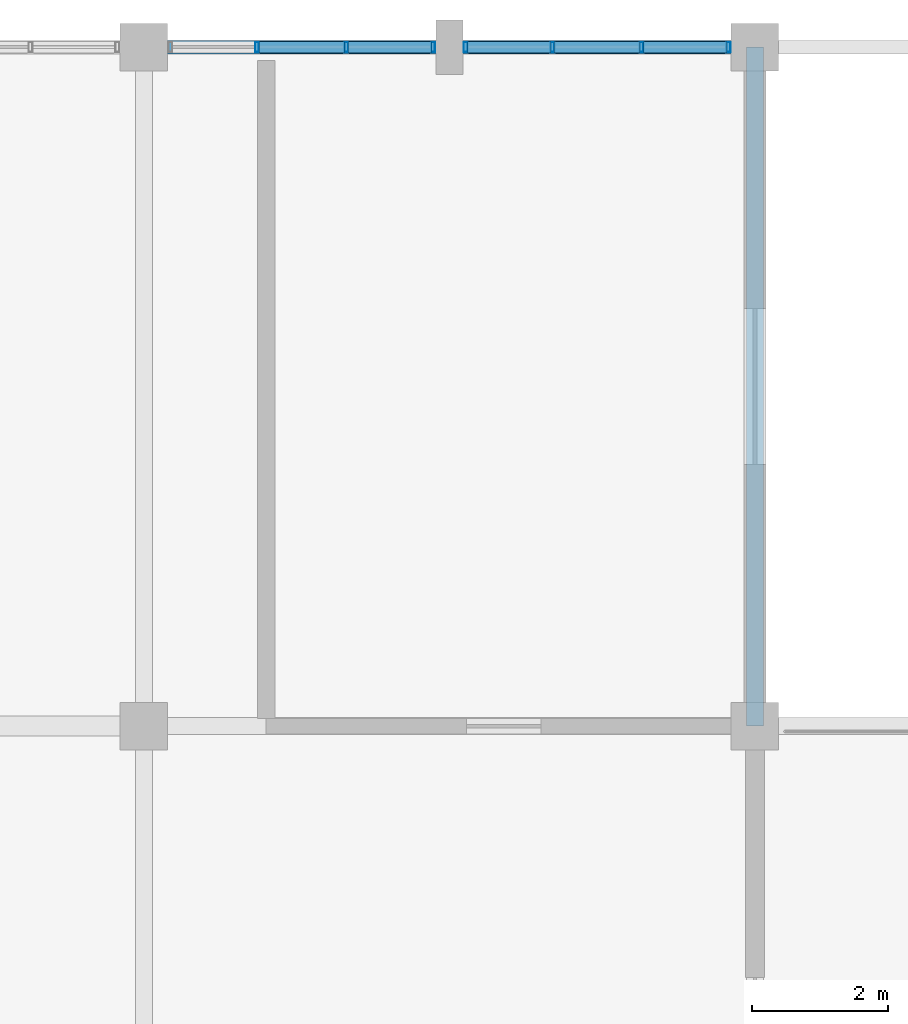
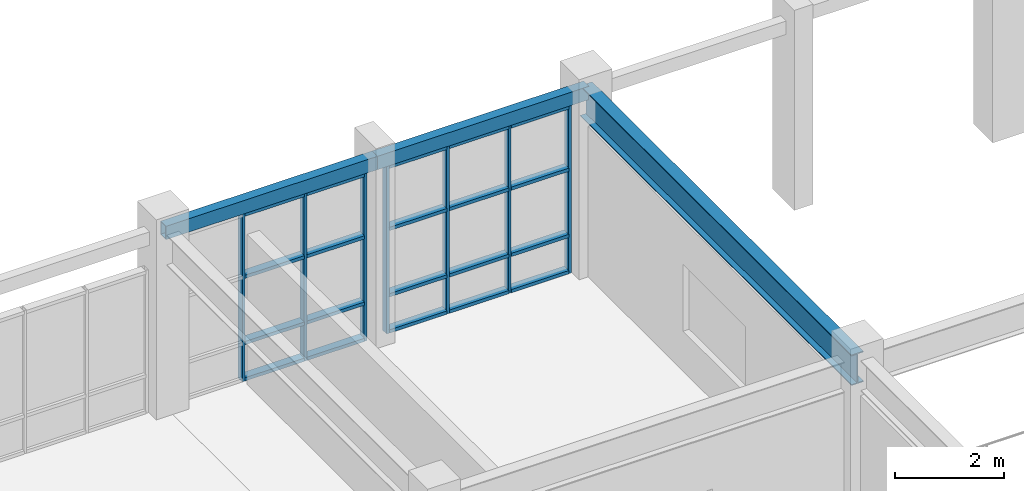
# One storey, part 31 of 55: 27 members, 3 beams, 2 elements without a shape of their own.
"""IFC4 building model written with IfcOpenShell, lengths in metres."""

from ifc_helpers import new_model, si_unit, direction, frame, origin, origin_2d, place, context, subcontext, project, spatial, hollow_rectangle, i_section, extrude, material, layer, layer_set, material_profile, profile_set, type_object, element, aggregate, save


model = new_model("IFC4")

# Units and contexts
model_context = context("Model", 3, precision=1e-05, world=origin(), true_north=direction((0.0, 1.0)))
body_context = subcontext(model_context, "Body", "Model", "MODEL_VIEW")
ifc_project = project(units=[si_unit("LENGTHUNIT", "METRE"), si_unit("AREAUNIT", "SQUARE_METRE"), si_unit("VOLUMEUNIT", "CUBIC_METRE"), si_unit("PLANEANGLEUNIT", "RADIAN"), si_unit("MASSUNIT", "GRAM", prefix="KILO")], contexts=[model_context])

# Site, building, storey
site_placement = place(None, origin())
site = spatial("IfcSite", under=ifc_project, at=site_placement, CompositionType="ELEMENT")
building_placement = place(site_placement, origin())
building = spatial("IfcBuilding", under=site, at=building_placement, Name="Ventoquebrada Cableway Terminal", CompositionType="ELEMENT")
storey_placement = place(building_placement, frame((0.0, 0.0, 14.39990234375)))
storey = spatial("IfcBuildingStorey", under=building, at=storey_placement, Name="L03", CompositionType="ELEMENT", Elevation=14.39990234375)

# Beam
ifc_material_1 = material(Name="Steel ASTM A992 Grade 50", Category="steel")
ifc_material_profile_1 = material_profile(ifc_material_1, i_section(OverallWidth=0.25390625, OverallDepth=0.68798828125, WebThickness=0.01318359375, FlangeThickness=0.02099609375, at=origin_2d()), Name="W27X102")
ifc_profile_set_1 = profile_set([ifc_material_profile_1], Name="Steel ASTM A992 Grade 50")
beam_type_1 = type_object("IfcBeamType", Name="BM-ST04", PredefinedType="BEAM", material=ifc_profile_set_1)
beam_placement = place(storey_placement, frame((26.199951171875, 104.0, 3.736083984375), z_axis=(0.0, 1.0, 0.0), x_axis=(-1.0, 0.0, 0.0)))
element("IfcBeam", 1, at=beam_placement, inside=storey, type_object=beam_type_1, Name="Primary frame girder FBM-0522", PredefinedType="BEAM", context=body_context, shape_type="SweptSolid", body=[
    extrude(i_section(OverallWidth=0.25390625, OverallDepth=0.68798828125, WebThickness=0.01318359375, FlangeThickness=0.02099609375, at=origin_2d()), origin(), (0.0, 0.0, 1.0), 10.0),
])

# Curtain wall, members
ifc_material_2 = material(Name="Anodized thermally-broken aluminium", Category="aluminium")
ifc_layer = layer(ifc_material_2, 0.159912109375)
ifc_layer_set = layer_set([ifc_layer], Name="Anodized thermally-broken aluminium")
curtain_wall_type = type_object("IfcCurtainWallType", Name="CW-T06", PredefinedType="USERDEFINED", material=ifc_layer_set)
curtain_wall_1_placement = place(storey_placement, origin())
curtain_wall_1 = element("IfcCurtainWall", 2, at=curtain_wall_1_placement, inside=storey, type_object=curtain_wall_type, Name="Unitised glazed curtain wall CW-054", ObjectType="UNITISED CURTAIN WALL", PredefinedType="USERDEFINED")
ifc_material_profile_2 = material_profile(ifc_material_2, hollow_rectangle(XDim=0.06005859375, YDim=0.14990234375, WallThickness=0.00390625, at=origin_2d()), Name="CW-MUL-60X150")
ifc_profile_set_2 = profile_set([ifc_material_profile_2], Name="Anodized thermally-broken aluminium")
member_type_1 = type_object("IfcMemberType", Name="CWM-03", PredefinedType="MULLION", material=ifc_profile_set_2)
member_1_placement = place(storey_placement, frame((25.81005859375, 114.0, -0.0078125), z_axis=(0.0, 0.0, 1.0), x_axis=(-1.0, 0.0, 0.0)))
member_1 = element("IfcMember", 3, at=member_1_placement, type_object=member_type_1, Name="Curtain wall mullion FML-0240", PredefinedType="MULLION", context=body_context, shape_type="SweptSolid", body=[
    extrude(hollow_rectangle(XDim=0.06005859375, YDim=0.14990234375, WallThickness=0.00390625, at=origin_2d()), origin(), (0.0, 0.0, 1.0), 3.787841796875),
])
member_2_placement = place(storey_placement, frame((24.531982421875, 114.0, -0.0078125), z_axis=(0.0, 0.0, 1.0), x_axis=(-1.0, 0.0, 0.0)))
member_2 = element("IfcMember", 4, at=member_2_placement, type_object=member_type_1, Name="Curtain wall mullion FML-0241", PredefinedType="MULLION", context=body_context, shape_type="SweptSolid", body=[
    extrude(hollow_rectangle(XDim=0.06005859375, YDim=0.14990234375, WallThickness=0.00390625, at=origin_2d()), origin(), (0.0, 0.0, 1.0), 3.787841796875),
])
member_3_placement = place(storey_placement, frame((23.218017578125, 114.0, -0.0078125), z_axis=(0.0, 0.0, 1.0), x_axis=(-1.0, 0.0, 0.0)))
member_3 = element("IfcMember", 5, at=member_3_placement, type_object=member_type_1, Name="Curtain wall mullion FML-0242", PredefinedType="MULLION", context=body_context, shape_type="SweptSolid", body=[
    extrude(hollow_rectangle(XDim=0.06005859375, YDim=0.14990234375, WallThickness=0.00390625, at=origin_2d()), origin(), (0.0, 0.0, 1.0), 3.787841796875),
])
member_4_placement = place(storey_placement, frame((21.93994140625, 114.0, -0.0078125), z_axis=(0.0, 0.0, 1.0), x_axis=(-1.0, 0.0, 0.0)))
member_4 = element("IfcMember", 6, at=member_4_placement, type_object=member_type_1, Name="Curtain wall mullion FML-0243", PredefinedType="MULLION", context=body_context, shape_type="SweptSolid", body=[
    extrude(hollow_rectangle(XDim=0.06005859375, YDim=0.14990234375, WallThickness=0.00390625, at=origin_2d()), origin(), (0.0, 0.0, 1.0), 3.787841796875),
])

curtain_wall_2_placement = place(storey_placement, origin())
curtain_wall_2 = element("IfcCurtainWall", 7, at=curtain_wall_2_placement, inside=storey, type_object=curtain_wall_type, Name="Unitised glazed curtain wall CW-055", ObjectType="UNITISED CURTAIN WALL", PredefinedType="USERDEFINED")
member_5_placement = place(storey_placement, frame((21.4599609375, 114.0, -0.0078125), z_axis=(0.0, 0.0, 1.0), x_axis=(-1.0, 0.0, 0.0)))
member_5 = element("IfcMember", 8, at=member_5_placement, type_object=member_type_1, Name="Curtain wall mullion FML-0244", PredefinedType="MULLION", context=body_context, shape_type="SweptSolid", body=[
    extrude(hollow_rectangle(XDim=0.06005859375, YDim=0.14990234375, WallThickness=0.00390625, at=origin_2d()), origin(), (0.0, 0.0, 1.0), 3.787841796875),
])
member_6_placement = place(storey_placement, frame((20.181884765625, 114.0, -0.0078125), z_axis=(0.0, 0.0, 1.0), x_axis=(-1.0, 0.0, 0.0)))
member_6 = element("IfcMember", 9, at=member_6_placement, type_object=member_type_1, Name="Curtain wall mullion FML-0245", PredefinedType="MULLION", context=body_context, shape_type="SweptSolid", body=[
    extrude(hollow_rectangle(XDim=0.06005859375, YDim=0.14990234375, WallThickness=0.00390625, at=origin_2d()), origin(), (0.0, 0.0, 1.0), 3.787841796875),
])
member_7_placement = place(storey_placement, frame((18.867919921875, 114.0, -0.0078125), z_axis=(0.0, 0.0, 1.0), x_axis=(-1.0, 0.0, 0.0)))
member_7 = element("IfcMember", 10, at=member_7_placement, type_object=member_type_1, Name="Curtain wall mullion FML-0246", PredefinedType="MULLION", context=body_context, shape_type="SweptSolid", body=[
    extrude(hollow_rectangle(XDim=0.06005859375, YDim=0.14990234375, WallThickness=0.00390625, at=origin_2d()), origin(), (0.0, 0.0, 1.0), 3.787841796875),
])

# Member
ifc_material_profile_3 = material_profile(ifc_material_2, hollow_rectangle(XDim=0.074951171875, YDim=0.169921875, WallThickness=0.00439453125, at=origin_2d()), Name="CW-TRN-75X170")
ifc_profile_set_3 = profile_set([ifc_material_profile_3], Name="Anodized thermally-broken aluminium")
member_type_2 = type_object("IfcMemberType", Name="CWT-03", PredefinedType="USERDEFINED", material=ifc_profile_set_3)
member_8_placement = place(storey_placement, frame((25.784912109375, 114.0, 0.03515625), z_axis=(-1.0, 0.0, 0.0), x_axis=(0.0, 0.0, 1.0)))
member_8 = element("IfcMember", 11, at=member_8_placement, type_object=member_type_2, Name="Curtain wall transom FTR-0714", ObjectType="TRANSOM", PredefinedType="USERDEFINED", context=body_context, shape_type="SweptSolid", body=[
    extrude(hollow_rectangle(XDim=0.074951171875, YDim=0.169921875, WallThickness=0.00439453125, at=origin_2d()), origin(), (0.0, 0.0, 1.0), 1.22802734375),
])

member_9_placement = place(storey_placement, frame((25.784912109375, 114.0, 0.85009765625), z_axis=(-1.0, 0.0, 0.0), x_axis=(0.0, 0.0, 1.0)))
member_9 = element("IfcMember", 12, at=member_9_placement, type_object=member_type_2, Name="Curtain wall transom FTR-0715", ObjectType="TRANSOM", PredefinedType="USERDEFINED", context=body_context, shape_type="SweptSolid", body=[
    extrude(hollow_rectangle(XDim=0.074951171875, YDim=0.169921875, WallThickness=0.00439453125, at=origin_2d()), origin(), (0.0, 0.0, 1.0), 1.22802734375),
])

member_10_placement = place(storey_placement, frame((25.784912109375, 114.0, 2.341064453125), z_axis=(-1.0, 0.0, 0.0), x_axis=(0.0, 0.0, 1.0)))
member_10 = element("IfcMember", 13, at=member_10_placement, type_object=member_type_2, Name="Curtain wall transom FTR-0716", ObjectType="TRANSOM", PredefinedType="USERDEFINED", context=body_context, shape_type="SweptSolid", body=[
    extrude(hollow_rectangle(XDim=0.074951171875, YDim=0.169921875, WallThickness=0.00439453125, at=origin_2d()), origin(), (0.0, 0.0, 1.0), 1.22802734375),
])

member_11_placement = place(storey_placement, frame((25.784912109375, 114.0, 3.739990234375), z_axis=(-1.0, 0.0, 0.0), x_axis=(0.0, 0.0, 1.0)))
member_11 = element("IfcMember", 14, at=member_11_placement, type_object=member_type_2, Name="Curtain wall transom FTR-0717", ObjectType="TRANSOM", PredefinedType="USERDEFINED", context=body_context, shape_type="SweptSolid", body=[
    extrude(hollow_rectangle(XDim=0.074951171875, YDim=0.169921875, WallThickness=0.00439453125, at=origin_2d()), origin(), (0.0, 0.0, 1.0), 1.22802734375),
])

member_12_placement = place(storey_placement, frame((24.507080078125, 114.0, 0.03515625), z_axis=(-1.0, 0.0, 0.0), x_axis=(0.0, 0.0, 1.0)))
member_12 = element("IfcMember", 15, at=member_12_placement, type_object=member_type_2, Name="Curtain wall transom FTR-0718", ObjectType="TRANSOM", PredefinedType="USERDEFINED", context=body_context, shape_type="SweptSolid", body=[
    extrude(hollow_rectangle(XDim=0.074951171875, YDim=0.169921875, WallThickness=0.00439453125, at=origin_2d()), origin(), (0.0, 0.0, 1.0), 1.26416015625),
])

member_13_placement = place(storey_placement, frame((24.507080078125, 114.0, 0.85009765625), z_axis=(-1.0, 0.0, 0.0), x_axis=(0.0, 0.0, 1.0)))
member_13 = element("IfcMember", 16, at=member_13_placement, type_object=member_type_2, Name="Curtain wall transom FTR-0719", ObjectType="TRANSOM", PredefinedType="USERDEFINED", context=body_context, shape_type="SweptSolid", body=[
    extrude(hollow_rectangle(XDim=0.074951171875, YDim=0.169921875, WallThickness=0.00439453125, at=origin_2d()), origin(), (0.0, 0.0, 1.0), 1.26416015625),
])

member_14_placement = place(storey_placement, frame((24.507080078125, 114.0, 2.341064453125), z_axis=(-1.0, 0.0, 0.0), x_axis=(0.0, 0.0, 1.0)))
member_14 = element("IfcMember", 17, at=member_14_placement, type_object=member_type_2, Name="Curtain wall transom FTR-0720", ObjectType="TRANSOM", PredefinedType="USERDEFINED", context=body_context, shape_type="SweptSolid", body=[
    extrude(hollow_rectangle(XDim=0.074951171875, YDim=0.169921875, WallThickness=0.00439453125, at=origin_2d()), origin(), (0.0, 0.0, 1.0), 1.26416015625),
])

member_15_placement = place(storey_placement, frame((24.507080078125, 114.0, 3.739990234375), z_axis=(-1.0, 0.0, 0.0), x_axis=(0.0, 0.0, 1.0)))
member_15 = element("IfcMember", 18, at=member_15_placement, type_object=member_type_2, Name="Curtain wall transom FTR-0721", ObjectType="TRANSOM", PredefinedType="USERDEFINED", context=body_context, shape_type="SweptSolid", body=[
    extrude(hollow_rectangle(XDim=0.074951171875, YDim=0.169921875, WallThickness=0.00439453125, at=origin_2d()), origin(), (0.0, 0.0, 1.0), 1.26416015625),
])

member_16_placement = place(storey_placement, frame((23.193115234375, 114.0, 0.03515625), z_axis=(-1.0, 0.0, 0.0), x_axis=(0.0, 0.0, 1.0)))
member_16 = element("IfcMember", 19, at=member_16_placement, type_object=member_type_2, Name="Curtain wall transom FTR-0722", ObjectType="TRANSOM", PredefinedType="USERDEFINED", context=body_context, shape_type="SweptSolid", body=[
    extrude(hollow_rectangle(XDim=0.074951171875, YDim=0.169921875, WallThickness=0.00439453125, at=origin_2d()), origin(), (0.0, 0.0, 1.0), 1.22802734375),
])

member_17_placement = place(storey_placement, frame((23.193115234375, 114.0, 0.85009765625), z_axis=(-1.0, 0.0, 0.0), x_axis=(0.0, 0.0, 1.0)))
member_17 = element("IfcMember", 20, at=member_17_placement, type_object=member_type_2, Name="Curtain wall transom FTR-0723", ObjectType="TRANSOM", PredefinedType="USERDEFINED", context=body_context, shape_type="SweptSolid", body=[
    extrude(hollow_rectangle(XDim=0.074951171875, YDim=0.169921875, WallThickness=0.00439453125, at=origin_2d()), origin(), (0.0, 0.0, 1.0), 1.22802734375),
])

member_18_placement = place(storey_placement, frame((23.193115234375, 114.0, 2.341064453125), z_axis=(-1.0, 0.0, 0.0), x_axis=(0.0, 0.0, 1.0)))
member_18 = element("IfcMember", 21, at=member_18_placement, type_object=member_type_2, Name="Curtain wall transom FTR-0724", ObjectType="TRANSOM", PredefinedType="USERDEFINED", context=body_context, shape_type="SweptSolid", body=[
    extrude(hollow_rectangle(XDim=0.074951171875, YDim=0.169921875, WallThickness=0.00439453125, at=origin_2d()), origin(), (0.0, 0.0, 1.0), 1.22802734375),
])

member_19_placement = place(storey_placement, frame((23.193115234375, 114.0, 3.739990234375), z_axis=(-1.0, 0.0, 0.0), x_axis=(0.0, 0.0, 1.0)))
member_19 = element("IfcMember", 22, at=member_19_placement, type_object=member_type_2, Name="Curtain wall transom FTR-0725", ObjectType="TRANSOM", PredefinedType="USERDEFINED", context=body_context, shape_type="SweptSolid", body=[
    extrude(hollow_rectangle(XDim=0.074951171875, YDim=0.169921875, WallThickness=0.00439453125, at=origin_2d()), origin(), (0.0, 0.0, 1.0), 1.22802734375),
])

aggregate(curtain_wall_1, [member_1, member_2, member_3, member_4, member_8, member_9, member_10, member_11, member_12, member_13, member_14, member_15, member_16, member_17, member_18, member_19])

member_20_placement = place(storey_placement, frame((21.43505859375, 114.0, 0.03515625), z_axis=(-1.0, 0.0, 0.0), x_axis=(0.0, 0.0, 1.0)))
member_20 = element("IfcMember", 23, at=member_20_placement, type_object=member_type_2, Name="Curtain wall transom FTR-0726", ObjectType="TRANSOM", PredefinedType="USERDEFINED", context=body_context, shape_type="SweptSolid", body=[
    extrude(hollow_rectangle(XDim=0.074951171875, YDim=0.169921875, WallThickness=0.00439453125, at=origin_2d()), origin(), (0.0, 0.0, 1.0), 1.22802734375),
])

member_21_placement = place(storey_placement, frame((21.43505859375, 114.0, 0.85009765625), z_axis=(-1.0, 0.0, 0.0), x_axis=(0.0, 0.0, 1.0)))
member_21 = element("IfcMember", 24, at=member_21_placement, type_object=member_type_2, Name="Curtain wall transom FTR-0727", ObjectType="TRANSOM", PredefinedType="USERDEFINED", context=body_context, shape_type="SweptSolid", body=[
    extrude(hollow_rectangle(XDim=0.074951171875, YDim=0.169921875, WallThickness=0.00439453125, at=origin_2d()), origin(), (0.0, 0.0, 1.0), 1.22802734375),
])

member_22_placement = place(storey_placement, frame((21.43505859375, 114.0, 2.341064453125), z_axis=(-1.0, 0.0, 0.0), x_axis=(0.0, 0.0, 1.0)))
member_22 = element("IfcMember", 25, at=member_22_placement, type_object=member_type_2, Name="Curtain wall transom FTR-0728", ObjectType="TRANSOM", PredefinedType="USERDEFINED", context=body_context, shape_type="SweptSolid", body=[
    extrude(hollow_rectangle(XDim=0.074951171875, YDim=0.169921875, WallThickness=0.00439453125, at=origin_2d()), origin(), (0.0, 0.0, 1.0), 1.22802734375),
])

member_23_placement = place(storey_placement, frame((21.43505859375, 114.0, 3.739990234375), z_axis=(-1.0, 0.0, 0.0), x_axis=(0.0, 0.0, 1.0)))
member_23 = element("IfcMember", 26, at=member_23_placement, type_object=member_type_2, Name="Curtain wall transom FTR-0729", ObjectType="TRANSOM", PredefinedType="USERDEFINED", context=body_context, shape_type="SweptSolid", body=[
    extrude(hollow_rectangle(XDim=0.074951171875, YDim=0.169921875, WallThickness=0.00439453125, at=origin_2d()), origin(), (0.0, 0.0, 1.0), 1.22802734375),
])

member_24_placement = place(storey_placement, frame((20.156982421875, 114.0, 0.03515625), z_axis=(-1.0, 0.0, 0.0), x_axis=(0.0, 0.0, 1.0)))
member_24 = element("IfcMember", 27, at=member_24_placement, type_object=member_type_2, Name="Curtain wall transom FTR-0730", ObjectType="TRANSOM", PredefinedType="USERDEFINED", context=body_context, shape_type="SweptSolid", body=[
    extrude(hollow_rectangle(XDim=0.074951171875, YDim=0.169921875, WallThickness=0.00439453125, at=origin_2d()), origin(), (0.0, 0.0, 1.0), 1.263916015625),
])

member_25_placement = place(storey_placement, frame((20.156982421875, 114.0, 0.85009765625), z_axis=(-1.0, 0.0, 0.0), x_axis=(0.0, 0.0, 1.0)))
member_25 = element("IfcMember", 28, at=member_25_placement, type_object=member_type_2, Name="Curtain wall transom FTR-0731", ObjectType="TRANSOM", PredefinedType="USERDEFINED", context=body_context, shape_type="SweptSolid", body=[
    extrude(hollow_rectangle(XDim=0.074951171875, YDim=0.169921875, WallThickness=0.00439453125, at=origin_2d()), origin(), (0.0, 0.0, 1.0), 1.263916015625),
])

member_26_placement = place(storey_placement, frame((20.156982421875, 114.0, 2.341064453125), z_axis=(-1.0, 0.0, 0.0), x_axis=(0.0, 0.0, 1.0)))
member_26 = element("IfcMember", 29, at=member_26_placement, type_object=member_type_2, Name="Curtain wall transom FTR-0732", ObjectType="TRANSOM", PredefinedType="USERDEFINED", context=body_context, shape_type="SweptSolid", body=[
    extrude(hollow_rectangle(XDim=0.074951171875, YDim=0.169921875, WallThickness=0.00439453125, at=origin_2d()), origin(), (0.0, 0.0, 1.0), 1.263916015625),
])

member_27_placement = place(storey_placement, frame((20.156982421875, 114.0, 3.739990234375), z_axis=(-1.0, 0.0, 0.0), x_axis=(0.0, 0.0, 1.0)))
member_27 = element("IfcMember", 30, at=member_27_placement, type_object=member_type_2, Name="Curtain wall transom FTR-0733", ObjectType="TRANSOM", PredefinedType="USERDEFINED", context=body_context, shape_type="SweptSolid", body=[
    extrude(hollow_rectangle(XDim=0.074951171875, YDim=0.169921875, WallThickness=0.00439453125, at=origin_2d()), origin(), (0.0, 0.0, 1.0), 1.263916015625),
])

aggregate(curtain_wall_2, [member_5, member_6, member_7, member_20, member_21, member_22, member_23, member_24, member_25, member_26, member_27])

# Beams
ifc_material_3 = material(Name="Steel ASTM A500 Grade C", Category="steel")
ifc_material_profile_4 = material_profile(ifc_material_3, hollow_rectangle(XDim=0.199951171875, YDim=0.300048828125, WallThickness=0.012451171875, at=origin_2d()), Name="RHS300X200X12.5")
ifc_profile_set_4 = profile_set([ifc_material_profile_4], Name="Steel ASTM A500 Grade C")
beam_type_2 = type_object("IfcBeamType", Name="SP-ST02", PredefinedType="SPANDREL", material=ifc_profile_set_4)
for number, where, z_axis, x_axis, name in (
    (31, (17.199951171875, 114.0, 3.93017578125), (1.0, 0.0, 0.0), (0.0, 1.0, 0.0), "Perimeter spandrel beam FBM-0503"),
    (32, (21.699951171875, 114.0, 3.93017578125), (1.0, 0.0, 0.0), (0.0, 1.0, 0.0), "Perimeter spandrel beam FBM-0504"),
):
    element("IfcBeam", number, at=place(storey_placement, frame(where, z_axis=z_axis, x_axis=x_axis)), inside=storey, type_object=beam_type_2, Name=name, PredefinedType="SPANDREL", context=body_context, shape_type="SweptSolid", body=[
        extrude(hollow_rectangle(XDim=0.199951171875, YDim=0.300048828125, WallThickness=0.012451171875, at=origin_2d()), origin(), (0.0, 0.0, 1.0), 4.5),
    ])

save(model, "model.ifc")
